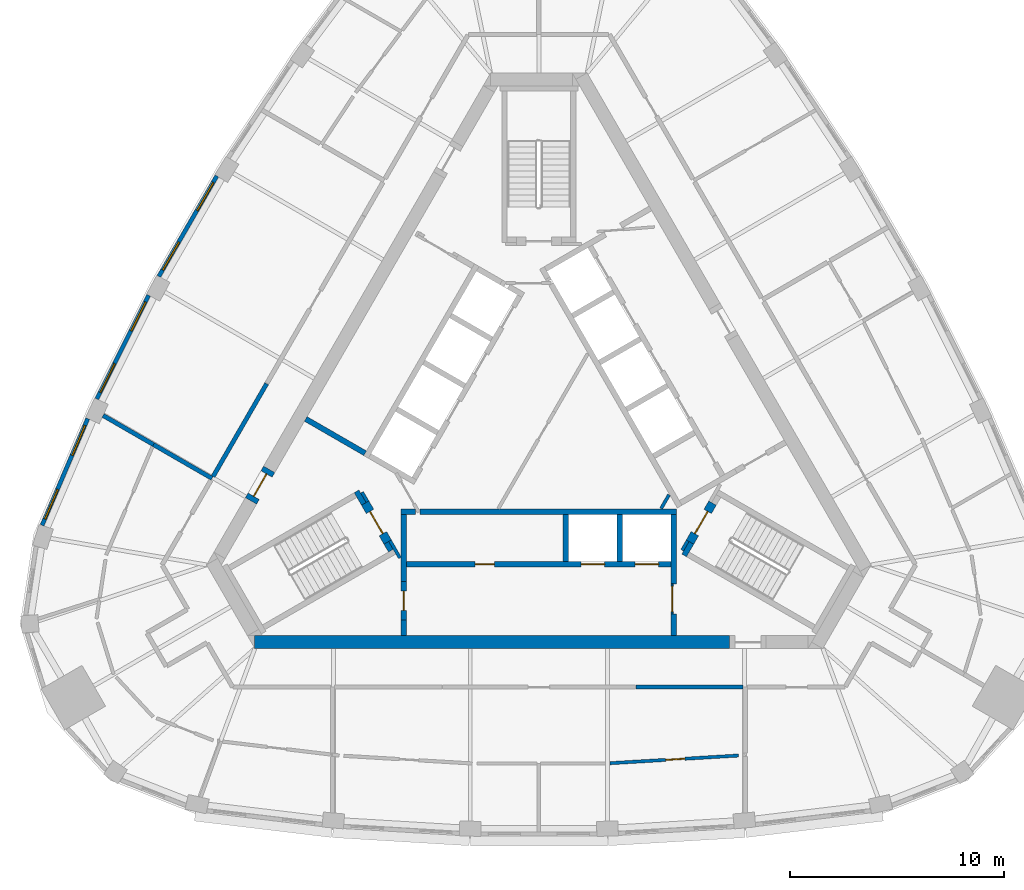
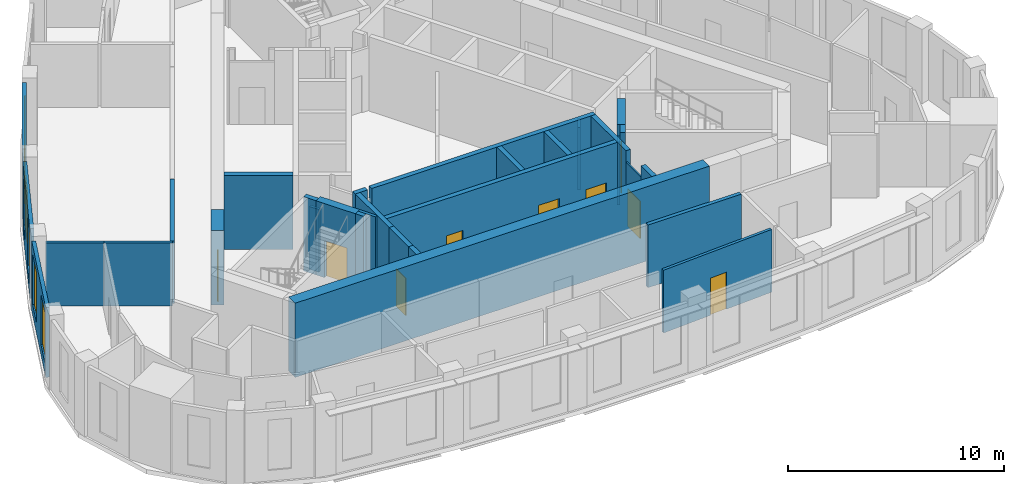
# One storey, part 4 of 10: 31 walls, 9 doors, 6 windows, 15 openings.
"""IFC4 building model written with IfcOpenShell, lengths in metres."""

from ifc_helpers import new_model, si_unit, direction, frame, frame_2d, origin, place, context, subcontext, project, spatial, rectangle, extrude, material, layer, layer_set, type_object, element, fill, save


model = new_model("IFC4")

# Units and contexts
model_context = context("Model", 3, precision=1e-05, world=origin(), true_north=direction((0.0, 1.0)))
body_context = subcontext(model_context, "Body", "Model", "MODEL_VIEW")
ifc_project = project(units=[si_unit("LENGTHUNIT", "METRE"), si_unit("AREAUNIT", "SQUARE_METRE"), si_unit("VOLUMEUNIT", "CUBIC_METRE"), si_unit("PLANEANGLEUNIT", "RADIAN"), si_unit("MASSUNIT", "GRAM", prefix="KILO")], contexts=[model_context])

# Site, building, storey
site_placement = place(None, origin())
site = spatial("IfcSite", under=ifc_project, at=site_placement, CompositionType="ELEMENT")
building_placement = place(site_placement, origin())
building = spatial("IfcBuilding", under=site, at=building_placement, Name="Mestral Congress Tower", CompositionType="ELEMENT")
storey_placement = place(building_placement, frame((0.0, 0.0, 309.0)))
storey = spatial("IfcBuildingStorey", under=building, at=storey_placement, Name="L72", CompositionType="ELEMENT", Elevation=309.0)

# Walls
ifc_material_1 = material(Name="Fire-rated board partition")
ifc_layer_1 = layer(ifc_material_1, 0.14990234375)
ifc_layer_set_1 = layer_set([ifc_layer_1], Name="Fire-rated board partition")
wall_type_1 = type_object("IfcWallType", Name="Core partition 150", PredefinedType="PARTITIONING", material=ifc_layer_set_1)
for number, where, z_axis, x_axis, name in (
    (1, (-8.251953125, -2.958251953125, 0.0), (0.0, 0.0, 1.0), (0.500174715838, -0.865924508047, 0.0), "L72 core wall"),
    (2, (6.94482421875, -5.22216796875, 0.0), (0.0, 0.0, 1.0), (-0.499818422106, -0.866130212453, 0.0), "L72 core wall"),
):
    element("IfcWall", number, at=place(storey_placement, frame(where, z_axis=z_axis, x_axis=x_axis)), inside=storey, type_object=wall_type_1, Name=name, PredefinedType="PARTITIONING", context=body_context, shape_type="SweptSolid", body=[
        extrude(rectangle(XDim=0.513916015625, YDim=0.14990234375, at=frame_2d((0.2568359375, 0.0))), origin(), (0.0, 0.0, 1.0), 3.550048828125),
    ])
wall_1_placement = place(storey_placement, frame((5.704833984375, -3.718017578125, 0.0), z_axis=(0.0, 0.0, 1.0), x_axis=(0.499962090823, 0.866047289552, 0.0)))
element("IfcWall", 3, at=wall_1_placement, inside=storey, type_object=wall_type_1, Name="L72 core wall", PredefinedType="PARTITIONING", context=body_context, shape_type="SweptSolid", body=[
    extrude(rectangle(XDim=0.73486328125, YDim=0.14990234375, at=frame_2d((0.367431640625, 0.0))), origin(), (0.0, 0.0, 1.0), 3.550048828125),
])

# Wall, opening, door
ifc_layer_2 = layer(ifc_material_1, 0.090087890625)
ifc_layer_set_2 = layer_set([ifc_layer_2], Name="Fire-rated board partition")
wall_type_2 = type_object("IfcWallType", Name="Core partition 150 door-wall 90", PredefinedType="PARTITIONING", material=ifc_layer_set_2)
wall_2_placement = place(storey_placement, frame((6.219970703125, -7.23681640625, 0.0), z_axis=(0.0, 0.0, 1.0), x_axis=(0.0, -1.0, 0.0)))
wall_2 = element("IfcWall", 4, at=wall_2_placement, inside=storey, type_object=wall_type_2, Name="L72 door wall", PredefinedType="PARTITIONING", context=body_context, shape_type="SweptSolid", body=[
    extrude(rectangle(XDim=1.400146484375, YDim=0.090087890625, at=frame_2d((0.7001953125, 0.0))), origin(), (0.0, 0.0, 1.0), 3.550048828125),
])
opening_1_placement = place(wall_2_placement, frame((0.10009765625, 0.0, 0.0)))
opening_1 = element("IfcOpeningElement", 5, at=opening_1_placement, cuts=wall_2, Name="Opening LB0-WL1", PredefinedType="OPENING", context=body_context, shape_type="SweptSolid", body=[
    extrude(rectangle(XDim=1.199951171875, YDim=2.10009765625, at=frame_2d((0.60009765625, 1.050048828125))), frame((0.0, 0.054931640625, 0.0), z_axis=(0.0, -1.0, 0.0), x_axis=(1.0, 0.0, 0.0)), (0.0, 0.0, 1.0), 0.110107421875),
])
ifc_material_2 = material(Name="Fire-rated steel door set", Category="steel")
door_type_1 = type_object("IfcDoorType", Name="Core door LB 1200x2100", OperationType="SINGLE_SWING_LEFT", PredefinedType="DOOR", material=ifc_material_2)
door_1_placement = place(opening_1_placement, origin())
door_1 = element("IfcDoor", 6, at=door_1_placement, inside=storey, type_object=door_type_1, Name="Door LB0-WL1", OperationType="SINGLE_SWING_LEFT", OverallHeight=2.10009765625, OverallWidth=1.199951171875, PredefinedType="DOOR", context=body_context, shape_type="SweptSolid", body=[
    extrude(rectangle(XDim=1.199951171875, YDim=2.10009765625, at=frame_2d((0.60009765625, 1.050048828125))), frame((0.0, 0.02490234375, 0.0), z_axis=(0.0, -1.0, 0.0), x_axis=(1.0, 0.0, 0.0)), (0.0, 0.0, 1.0), 0.050048828125),
])
fill(opening_1, door_1)

# Wall
ifc_material_3 = material(Name="Concrete C60/75", Category="concrete")
ifc_layer_3 = layer(ifc_material_3, 0.60009765625)
ifc_layer_set_3 = layer_set([ifc_layer_3], Name="Concrete C60/75")
wall_type_3 = type_object("IfcWallType", Name="Core wall RC 600", PredefinedType="SOLIDWALL", material=ifc_layer_set_3)
wall_3_placement = place(storey_placement, frame((8.904296875, -9.949951171875, 0.0), z_axis=(0.0, 0.0, 1.0), x_axis=(-1.0, 0.0, 0.0)))
element("IfcWall", 7, at=wall_3_placement, inside=storey, type_object=wall_type_3, Name="L72 core wall", PredefinedType="SOLIDWALL", context=body_context, shape_type="SweptSolid", body=[
    extrude(rectangle(XDim=22.160888671875, YDim=0.60009765625, at=frame_2d((11.08056640625, 0.0))), origin(), (0.0, 0.0, 1.0), 4.199951171875),
])

# Wall, opening, door
wall_4_placement = place(storey_placement, frame((-13.431640625, -3.3642578125, 0.0), z_axis=(0.0, 0.0, 1.0), x_axis=(0.500062241894, 0.865989465428, 0.0)))
wall_4 = element("IfcWall", 8, at=wall_4_placement, inside=storey, type_object=wall_type_3, Name="L72 door wall", PredefinedType="SOLIDWALL", context=body_context, shape_type="SweptSolid", body=[
    extrude(rectangle(XDim=1.699951171875, YDim=0.60009765625, at=frame_2d((0.85009765625, 0.0))), origin(), (0.0, 0.0, 1.0), 4.199951171875),
])
opening_2_placement = place(wall_4_placement, frame((0.25, 0.0, 0.0)))
opening_2 = element("IfcOpeningElement", 9, at=opening_2_placement, cuts=wall_4, Name="Opening XD3", PredefinedType="OPENING", context=body_context, shape_type="SweptSolid", body=[
    extrude(rectangle(XDim=1.199951171875, YDim=2.10009765625, at=frame_2d((0.60009765625, 1.050048828125))), frame((0.0, 0.31005859375, 0.0), z_axis=(0.0, -1.0, 0.0), x_axis=(1.0, 0.0, 0.0)), (0.0, 0.0, 1.0), 0.6201171875),
])
door_type_2 = type_object("IfcDoorType", Name="Core door XD 1200x2100", OperationType="SINGLE_SWING_LEFT", PredefinedType="DOOR", material=ifc_material_2)
door_2_placement = place(opening_2_placement, origin())
door_2 = element("IfcDoor", 10, at=door_2_placement, inside=storey, type_object=door_type_2, Name="Door XD3", OperationType="SINGLE_SWING_LEFT", OverallHeight=2.10009765625, OverallWidth=1.199951171875, PredefinedType="DOOR", context=body_context, shape_type="SweptSolid", body=[
    extrude(rectangle(XDim=1.199951171875, YDim=2.10009765625, at=frame_2d((0.60009765625, 1.050048828125))), frame((0.0, 0.02490234375, 0.0), z_axis=(0.0, -1.0, 0.0), x_axis=(1.0, 0.0, 0.0)), (0.0, 0.0, 1.0), 0.050048828125),
])
fill(opening_2, door_2)

# Wall, openings, windows
ifc_material_4 = material(Name="Precast concrete C40/50 with limestone facing", Category="masonry")
ifc_layer_4 = layer(ifc_material_4, 0.18994140625)
ifc_layer_set_4 = layer_set([ifc_layer_4], Name="Precast concrete C40/50 with limestone facing")
wall_type_4 = type_object("IfcWallType", Name="Facade stone wall 190", PredefinedType="SOLIDWALL", material=ifc_layer_set_4)
wall_5_placement = place(storey_placement, frame((-15.025146484375, 11.7958984375, 0.0), z_axis=(0.0, 0.0, 1.0), x_axis=(-0.500024767483, -0.866011103799, 0.0)))
wall_5 = element("IfcWall", 11, at=wall_5_placement, inside=storey, type_object=wall_type_4, Name="Facade wall F2-02", PredefinedType="SOLIDWALL", context=body_context, shape_type="SweptSolid", body=[
    extrude(rectangle(XDim=5.406005859375, YDim=0.18994140625, at=frame_2d((2.703125, 0.0))), origin(), (0.0, 0.0, 1.0), 3.949951171875),
])
opening_3_placement = place(wall_5_placement, frame((0.346435546875, 0.0, 0.60009765625)))
opening_3 = element("IfcOpeningElement", 12, at=opening_3_placement, cuts=wall_5, Name="Opening W6", PredefinedType="OPENING", context=body_context, shape_type="SweptSolid", body=[
    extrude(rectangle(XDim=1.5, YDim=2.85009765625, at=frame_2d((0.75, 1.425048828125))), frame((0.0, 0.10498046875, 0.0), z_axis=(0.0, -1.0, 0.0), x_axis=(1.0, 0.0, 0.0)), (0.0, 0.0, 1.0), 0.2099609375),
])
opening_4_placement = place(wall_5_placement, frame((3.559326171875, 0.0, 0.60009765625)))
opening_4 = element("IfcOpeningElement", 13, at=opening_4_placement, cuts=wall_5, Name="Opening W6", PredefinedType="OPENING", context=body_context, shape_type="SweptSolid", body=[
    extrude(rectangle(XDim=1.5, YDim=2.85009765625, at=frame_2d((0.75, 1.425048828125))), frame((0.0, 0.10498046875, 0.0), z_axis=(0.0, -1.0, 0.0), x_axis=(1.0, 0.0, 0.0)), (0.0, 0.0, 1.0), 0.2099609375),
])
ifc_material_5 = material(Name="Clear low-emissivity double glazing", Category="glass")
window_type = type_object("IfcWindowType", Name="Facade punched window 1500 x 2850 sill 600", PartitioningType="SINGLE_PANEL", PredefinedType="WINDOW", material=ifc_material_5)
window_1_placement = place(opening_3_placement, origin())
window_1 = element("IfcWindow", 14, at=window_1_placement, inside=storey, type_object=window_type, Name="Window F2-02a", OverallHeight=2.85009765625, OverallWidth=1.5, PartitioningType="SINGLE_PANEL", PredefinedType="WINDOW", context=body_context, shape_type="SweptSolid", body=[
    extrude(rectangle(XDim=1.5, YDim=2.85009765625, at=frame_2d((0.75, 1.425048828125))), frame((0.0, 0.044921875, 0.0), z_axis=(0.0, -1.0, 0.0), x_axis=(1.0, 0.0, 0.0)), (0.0, 0.0, 1.0), 0.06005859375),
])
fill(opening_3, window_1)
window_2_placement = place(opening_4_placement, origin())
window_2 = element("IfcWindow", 15, at=window_2_placement, inside=storey, type_object=window_type, Name="Window F2-02b", OverallHeight=2.85009765625, OverallWidth=1.5, PartitioningType="SINGLE_PANEL", PredefinedType="WINDOW", context=body_context, shape_type="SweptSolid", body=[
    extrude(rectangle(XDim=1.5, YDim=2.85009765625, at=frame_2d((0.75, 1.425048828125))), frame((0.0, 0.044921875, 0.0), z_axis=(0.0, -1.0, 0.0), x_axis=(1.0, 0.0, 0.0)), (0.0, 0.0, 1.0), 0.06005859375),
])
fill(opening_4, window_2)

wall_6_placement = place(storey_placement, frame((-18.205810546875, 6.226806640625, 0.0), z_axis=(0.0, 0.0, 1.0), x_axis=(-0.447484531401, -0.894291671747, 0.0)))
wall_6 = element("IfcWall", 16, at=wall_6_placement, inside=storey, type_object=wall_type_4, Name="Facade wall F2-03", PredefinedType="SOLIDWALL", context=body_context, shape_type="SweptSolid", body=[
    extrude(rectangle(XDim=5.40625, YDim=0.18994140625, at=frame_2d((2.703125, 0.0))), origin(), (0.0, 0.0, 1.0), 3.949951171875),
])
opening_5_placement = place(wall_6_placement, frame((0.346435546875, 0.0, 0.60009765625)))
opening_5 = element("IfcOpeningElement", 17, at=opening_5_placement, cuts=wall_6, Name="Opening W6", PredefinedType="OPENING", context=body_context, shape_type="SweptSolid", body=[
    extrude(rectangle(XDim=1.5, YDim=2.85009765625, at=frame_2d((0.75, 1.425048828125))), frame((0.0, 0.10498046875, 0.0), z_axis=(0.0, -1.0, 0.0), x_axis=(1.0, 0.0, 0.0)), (0.0, 0.0, 1.0), 0.2099609375),
])
opening_6_placement = place(wall_6_placement, frame((3.559326171875, 0.0, 0.60009765625)))
opening_6 = element("IfcOpeningElement", 18, at=opening_6_placement, cuts=wall_6, Name="Opening W6", PredefinedType="OPENING", context=body_context, shape_type="SweptSolid", body=[
    extrude(rectangle(XDim=1.5, YDim=2.85009765625, at=frame_2d((0.75, 1.425048828125))), frame((0.0, 0.10498046875, 0.0), z_axis=(0.0, -1.0, 0.0), x_axis=(1.0, 0.0, 0.0)), (0.0, 0.0, 1.0), 0.2099609375),
])
window_3_placement = place(opening_5_placement, origin())
window_3 = element("IfcWindow", 19, at=window_3_placement, inside=storey, type_object=window_type, Name="Window F2-03a", OverallHeight=2.85009765625, OverallWidth=1.5, PartitioningType="SINGLE_PANEL", PredefinedType="WINDOW", context=body_context, shape_type="SweptSolid", body=[
    extrude(rectangle(XDim=1.5, YDim=2.85009765625, at=frame_2d((0.75, 1.425048828125))), frame((0.0, 0.044921875, 0.0), z_axis=(0.0, -1.0, 0.0), x_axis=(1.0, 0.0, 0.0)), (0.0, 0.0, 1.0), 0.06005859375),
])
fill(opening_5, window_3)
window_4_placement = place(opening_6_placement, origin())
window_4 = element("IfcWindow", 20, at=window_4_placement, inside=storey, type_object=window_type, Name="Window F2-03b", OverallHeight=2.85009765625, OverallWidth=1.5, PartitioningType="SINGLE_PANEL", PredefinedType="WINDOW", context=body_context, shape_type="SweptSolid", body=[
    extrude(rectangle(XDim=1.5, YDim=2.85009765625, at=frame_2d((0.75, 1.425048828125))), frame((0.0, 0.044921875, 0.0), z_axis=(0.0, -1.0, 0.0), x_axis=(1.0, 0.0, 0.0)), (0.0, 0.0, 1.0), 0.06005859375),
])
fill(opening_6, window_4)

wall_7_placement = place(storey_placement, frame((-21.048828125, 0.477783203125, 0.0), z_axis=(0.0, 0.0, 1.0), x_axis=(-0.393347848476, -0.919389726992, 0.0)))
wall_7 = element("IfcWall", 21, at=wall_7_placement, inside=storey, type_object=wall_type_4, Name="Facade wall F2-04", PredefinedType="SOLIDWALL", context=body_context, shape_type="SweptSolid", body=[
    extrude(rectangle(XDim=5.414794921875, YDim=0.18994140625, at=frame_2d((2.70751953125, 0.0))), origin(), (0.0, 0.0, 1.0), 3.949951171875),
])
opening_7_placement = place(wall_7_placement, frame((0.357421875, 0.0, 0.60009765625)))
opening_7 = element("IfcOpeningElement", 22, at=opening_7_placement, cuts=wall_7, Name="Opening W6", PredefinedType="OPENING", context=body_context, shape_type="SweptSolid", body=[
    extrude(rectangle(XDim=1.5, YDim=2.85009765625, at=frame_2d((0.75, 1.425048828125))), frame((0.0, 0.10498046875, 0.0), z_axis=(0.0, -1.0, 0.0), x_axis=(1.0, 0.0, 0.0)), (0.0, 0.0, 1.0), 0.2099609375),
])
opening_8_placement = place(wall_7_placement, frame((3.592529296875, 0.0, 0.60009765625)))
opening_8 = element("IfcOpeningElement", 23, at=opening_8_placement, cuts=wall_7, Name="Opening W6", PredefinedType="OPENING", context=body_context, shape_type="SweptSolid", body=[
    extrude(rectangle(XDim=1.5, YDim=2.85009765625, at=frame_2d((0.75, 1.425048828125))), frame((0.0, 0.10498046875, 0.0), z_axis=(0.0, -1.0, 0.0), x_axis=(1.0, 0.0, 0.0)), (0.0, 0.0, 1.0), 0.2099609375),
])
window_5_placement = place(opening_7_placement, origin())
window_5 = element("IfcWindow", 24, at=window_5_placement, inside=storey, type_object=window_type, Name="Window F2-04a", OverallHeight=2.85009765625, OverallWidth=1.5, PartitioningType="SINGLE_PANEL", PredefinedType="WINDOW", context=body_context, shape_type="SweptSolid", body=[
    extrude(rectangle(XDim=1.5, YDim=2.85009765625, at=frame_2d((0.75, 1.425048828125))), frame((0.0, 0.044921875, 0.0), z_axis=(0.0, -1.0, 0.0), x_axis=(1.0, 0.0, 0.0)), (0.0, 0.0, 1.0), 0.06005859375),
])
fill(opening_7, window_5)
window_6_placement = place(opening_8_placement, origin())
window_6 = element("IfcWindow", 25, at=window_6_placement, inside=storey, type_object=window_type, Name="Window F2-04b", OverallHeight=2.85009765625, OverallWidth=1.5, PartitioningType="SINGLE_PANEL", PredefinedType="WINDOW", context=body_context, shape_type="SweptSolid", body=[
    extrude(rectangle(XDim=1.5, YDim=2.85009765625, at=frame_2d((0.75, 1.425048828125))), frame((0.0, 0.044921875, 0.0), z_axis=(0.0, -1.0, 0.0), x_axis=(1.0, 0.0, 0.0)), (0.0, 0.0, 1.0), 0.06005859375),
])
fill(opening_8, window_6)

# Wall, opening, door
ifc_material_6 = material(Name="Plasterboard partition on steel studs", Category="steel")
ifc_layer_5 = layer(ifc_material_6, 0.14990234375)
ifc_layer_set_5 = layer_set([ifc_layer_5], Name="Plasterboard partition on steel studs")
wall_type_5 = type_object("IfcWallType", Name="Office partition 150", PredefinedType="PARTITIONING", material=ifc_layer_set_5)
wall_8_placement = place(storey_placement, frame((9.3154296875, -15.244384765625, 0.0), z_axis=(0.0, 0.0, 1.0), x_axis=(-0.998218822372, -0.059658885864, 0.0)))
wall_8 = element("IfcWall", 26, at=wall_8_placement, inside=storey, type_object=wall_type_5, Name="Partition", PredefinedType="PARTITIONING", context=body_context, shape_type="SweptSolid", body=[
    extrude(rectangle(XDim=6.00341796875, YDim=0.14990234375, at=frame_2d((3.001708984375, 0.0))), origin(), (0.0, 0.0, 1.0), 3.550048828125),
])
opening_9_placement = place(wall_8_placement, frame((2.50341796875, 0.0, 0.0)))
opening_9 = element("IfcOpeningElement", 27, at=opening_9_placement, cuts=wall_8, Name="Opening O14-002", PredefinedType="OPENING", context=body_context, shape_type="SweptSolid", body=[
    extrude(rectangle(XDim=0.89990234375, YDim=2.10009765625, at=frame_2d((0.449951171875, 1.050048828125))), frame((0.0, 0.0849609375, 0.0), z_axis=(0.0, -1.0, 0.0), x_axis=(1.0, 0.0, 0.0)), (0.0, 0.0, 1.0), 0.169921875),
])
ifc_material_7 = material(Name="Timber door set", Category="wood")
door_type_3 = type_object("IfcDoorType", Name="Office door 900x2100", OperationType="SINGLE_SWING_LEFT", PredefinedType="DOOR", material=ifc_material_7)
door_3_placement = place(opening_9_placement, origin())
door_3 = element("IfcDoor", 28, at=door_3_placement, inside=storey, type_object=door_type_3, Name="Door O14-002", OperationType="SINGLE_SWING_LEFT", OverallHeight=2.10009765625, OverallWidth=0.89990234375, PredefinedType="DOOR", context=body_context, shape_type="SweptSolid", body=[
    extrude(rectangle(XDim=0.89990234375, YDim=2.10009765625, at=frame_2d((0.449951171875, 1.050048828125))), frame((0.0, 0.02490234375, 0.0), z_axis=(0.0, -1.0, 0.0), x_axis=(1.0, 0.0, 0.0)), (0.0, 0.0, 1.0), 0.050048828125),
])
fill(opening_9, door_3)

# Walls
ifc_material_8 = material(Name="Dense masonry wall, plastered", Category="masonry")
ifc_layer_6 = layer(ifc_material_8, 0.199951171875)
ifc_layer_set_6 = layer_set([ifc_layer_6], Name="Dense masonry wall, plastered")
wall_type_6 = type_object("IfcWallType", Name="Office tenancy wall 200", PredefinedType="PARTITIONING", material=ifc_layer_set_6)
wall_9_placement = place(storey_placement, frame((4.530029296875, -12.050048828125, 0.0), z_axis=(0.0, 0.0, 1.0), x_axis=(1.0, 0.0, 0.0)))
element("IfcWall", 29, at=wall_9_placement, inside=storey, type_object=wall_type_6, Name="Tenancy wall", PredefinedType="PARTITIONING", context=body_context, shape_type="SweptSolid", body=[
    extrude(rectangle(XDim=4.997314453125, YDim=0.199951171875, at=frame_2d((2.49853515625, 0.0))), origin(), (0.0, 0.0, 1.0), 3.550048828125),
])
wall_10_placement = place(storey_placement, frame((-17.97998046875, -0.736083984375, 0.0), z_axis=(0.0, 0.0, 1.0), x_axis=(-0.866049350164, 0.49995852136, 0.0)))
element("IfcWall", 30, at=wall_10_placement, inside=storey, type_object=wall_type_6, Name="Tenancy wall", PredefinedType="PARTITIONING", context=body_context, shape_type="SweptSolid", body=[
    extrude(rectangle(XDim=2.715576171875, YDim=0.199951171875, at=frame_2d((1.35791015625, 0.0))), origin(), (0.0, 0.0, 1.0), 3.550048828125),
])
wall_11_placement = place(storey_placement, frame((-15.249267578125, -2.3125, 0.0), z_axis=(0.0, 0.0, 1.0), x_axis=(-0.866053113424, 0.499952002425, 0.0)))
element("IfcWall", 31, at=wall_11_placement, inside=storey, type_object=wall_type_6, Name="Tenancy wall", PredefinedType="PARTITIONING", context=body_context, shape_type="SweptSolid", body=[
    extrude(rectangle(XDim=3.160888671875, YDim=0.199951171875, at=frame_2d((1.58056640625, 0.0))), origin(), (0.0, 0.0, 1.0), 3.550048828125),
])
wall_12_placement = place(storey_placement, frame((-12.70068359375, 2.101806640625, 0.0), z_axis=(0.0, 0.0, 1.0), x_axis=(-0.499974782844, -0.866039962427, 0.0)))
element("IfcWall", 32, at=wall_12_placement, inside=storey, type_object=wall_type_6, Name="Tenancy wall", PredefinedType="PARTITIONING", context=body_context, shape_type="SweptSolid", body=[
    extrude(rectangle(XDim=4.997314453125, YDim=0.199951171875, at=frame_2d((2.49853515625, 0.0))), origin(), (0.0, 0.0, 1.0), 3.550048828125),
])
ifc_layer_7 = layer(ifc_material_3, 0.25)
ifc_layer_set_7 = layer_set([ifc_layer_7], Name="Concrete C60/75")
wall_type_7 = type_object("IfcWallType", Name="Shaft wall RC 250", PredefinedType="SOLIDWALL", material=ifc_layer_set_7)
wall_13_placement = place(storey_placement, frame((-5.544921875, -3.875, 0.0), z_axis=(0.0, 0.0, 1.0), x_axis=(1.0, 0.0, 0.0)))
element("IfcWall", 33, at=wall_13_placement, inside=storey, type_object=wall_type_7, Name="L72 core wall", PredefinedType="SOLIDWALL", context=body_context, shape_type="SweptSolid", body=[
    extrude(rectangle(XDim=11.969970703125, YDim=0.25, at=frame_2d((5.98486328125, 0.0))), origin(), (0.0, 0.0, 1.0), 4.199951171875),
])
wall_14_placement = place(storey_placement, frame((-6.425048828125, -3.875, 0.0), z_axis=(0.0, 0.0, 1.0), x_axis=(1.0, 0.0, 0.0)))
element("IfcWall", 34, at=wall_14_placement, inside=storey, type_object=wall_type_7, Name="L72 core wall", PredefinedType="SOLIDWALL", context=body_context, shape_type="SweptSolid", body=[
    extrude(rectangle(XDim=0.657958984375, YDim=0.25, at=frame_2d((0.3291015625, 0.0))), origin(), (0.0, 0.0, 1.0), 4.199951171875),
])
wall_15_placement = place(storey_placement, frame((6.300048828125, -7.239990234375, 0.0), z_axis=(0.0, 0.0, 1.0), x_axis=(0.0, 1.0, 0.0)))
element("IfcWall", 35, at=wall_15_placement, inside=storey, type_object=wall_type_7, Name="L72 core wall", PredefinedType="SOLIDWALL", context=body_context, shape_type="SweptSolid", body=[
    extrude(rectangle(XDim=3.239990234375, YDim=0.25, at=frame_2d((1.6201171875, 0.0))), origin(), (0.0, 0.0, 1.0), 4.199951171875),
])
wall_16_placement = place(storey_placement, frame((6.300048828125, -9.64990234375, 0.0), z_axis=(0.0, 0.0, 1.0), x_axis=(0.0, 1.0, 0.0)))
element("IfcWall", 36, at=wall_16_placement, inside=storey, type_object=wall_type_7, Name="L72 core wall", PredefinedType="SOLIDWALL", context=body_context, shape_type="SweptSolid", body=[
    extrude(rectangle(XDim=1.0078125, YDim=0.25, at=frame_2d((0.50390625, 0.0))), origin(), (0.0, 0.0, 1.0), 4.199951171875),
])
for number, where, z_axis, x_axis, name in (
    (37, (3.780029296875, -4.0, 0.0), (0.0, 0.0, 1.0), (0.0, -1.0, 0.0), "L72 core wall"),
    (38, (1.260009765625, -4.0, 0.0), (0.0, 0.0, 1.0), (0.0, -1.0, 0.0), "L72 core wall"),
):
    element("IfcWall", number, at=place(storey_placement, frame(where, z_axis=z_axis, x_axis=x_axis)), inside=storey, type_object=wall_type_7, Name=name, PredefinedType="SOLIDWALL", context=body_context, shape_type="SweptSolid", body=[
        extrude(rectangle(XDim=2.199951171875, YDim=0.25, at=frame_2d((1.10009765625, 0.0))), origin(), (0.0, 0.0, 1.0), 4.199951171875),
    ])
wall_17_placement = place(storey_placement, frame((-6.300048828125, -7.12451171875, 0.0), z_axis=(0.0, 0.0, 1.0), x_axis=(0.0, 1.0, 0.0)))
element("IfcWall", 39, at=wall_17_placement, inside=storey, type_object=wall_type_7, Name="L72 core wall", PredefinedType="SOLIDWALL", context=body_context, shape_type="SweptSolid", body=[
    extrude(rectangle(XDim=3.12451171875, YDim=0.25, at=frame_2d((1.562255859375, 0.0))), origin(), (0.0, 0.0, 1.0), 4.199951171875),
])
wall_18_placement = place(storey_placement, frame((-6.300048828125, -8.9248046875, 0.0), z_axis=(0.0, 0.0, 1.0), x_axis=(0.0, -1.0, 0.0)))
element("IfcWall", 40, at=wall_18_placement, inside=storey, type_object=wall_type_7, Name="L72 core wall", PredefinedType="SOLIDWALL", context=body_context, shape_type="SweptSolid", body=[
    extrude(rectangle(XDim=0.72509765625, YDim=0.25, at=frame_2d((0.362548828125, 0.0))), origin(), (0.0, 0.0, 1.0), 4.199951171875),
])
wall_19_placement = place(storey_placement, frame((-8.10595703125, -1.139892578125, 0.0), z_axis=(0.0, 0.0, 1.0), x_axis=(-0.866008981251, 0.500028443584, 0.0)))
element("IfcWall", 41, at=wall_19_placement, inside=storey, type_object=wall_type_7, Name="L72 core wall", PredefinedType="SOLIDWALL", context=body_context, shape_type="SweptSolid", body=[
    extrude(rectangle(XDim=3.199951171875, YDim=0.25, at=frame_2d((1.60009765625, 0.0))), origin(), (0.0, 0.0, 1.0), 4.199951171875),
])

# Wall, openings, doors
wall_20_placement = place(storey_placement, frame((-6.175048828125, -6.324951171875, 0.0), z_axis=(0.0, 0.0, 1.0), x_axis=(1.0, 0.0, 0.0)))
wall_20 = element("IfcWall", 42, at=wall_20_placement, inside=storey, type_object=wall_type_7, Name="L72 door wall", PredefinedType="SOLIDWALL", context=body_context, shape_type="SweptSolid", body=[
    extrude(rectangle(XDim=12.35009765625, YDim=0.25, at=frame_2d((6.175048828125, 0.0))), origin(), (0.0, 0.0, 1.0), 4.199951171875),
])
opening_10_placement = place(wall_20_placement, frame((3.205078125, 0.0, 0.0)))
opening_10 = element("IfcOpeningElement", 43, at=opening_10_placement, cuts=wall_20, Name="Opening SR-SOB1", PredefinedType="OPENING", context=body_context, shape_type="SweptSolid", body=[
    extrude(rectangle(XDim=0.89990234375, YDim=2.10009765625, at=frame_2d((0.449951171875, 1.050048828125))), frame((0.0, 0.135009765625, 0.0), z_axis=(0.0, -1.0, 0.0), x_axis=(1.0, 0.0, 0.0)), (0.0, 0.0, 1.0), 0.27001953125),
])
opening_11_placement = place(wall_20_placement, frame((8.14501953125, 0.0, 0.0)))
opening_11 = element("IfcOpeningElement", 44, at=opening_11_placement, cuts=wall_20, Name="Opening LD-SOB4", PredefinedType="OPENING", context=body_context, shape_type="SweptSolid", body=[
    extrude(rectangle(XDim=1.10009765625, YDim=2.10009765625, at=frame_2d((0.550048828125, 1.050048828125))), frame((0.0, 0.135009765625, 0.0), z_axis=(0.0, -1.0, 0.0), x_axis=(1.0, 0.0, 0.0)), (0.0, 0.0, 1.0), 0.27001953125),
])
opening_12_placement = place(wall_20_placement, frame((10.6650390625, 0.0, 0.0)))
opening_12 = element("IfcOpeningElement", 45, at=opening_12_placement, cuts=wall_20, Name="Opening LD-SOB5", PredefinedType="OPENING", context=body_context, shape_type="SweptSolid", body=[
    extrude(rectangle(XDim=1.10009765625, YDim=2.10009765625, at=frame_2d((0.550048828125, 1.050048828125))), frame((0.0, 0.135009765625, 0.0), z_axis=(0.0, -1.0, 0.0), x_axis=(1.0, 0.0, 0.0)), (0.0, 0.0, 1.0), 0.27001953125),
])
door_type_4 = type_object("IfcDoorType", Name="Core door LD 1100x2100", OperationType="DOUBLE_DOOR_SLIDING", PredefinedType="DOOR", material=ifc_material_2)
door_4_placement = place(opening_11_placement, origin())
door_4 = element("IfcDoor", 46, at=door_4_placement, inside=storey, type_object=door_type_4, Name="Door LD-SOB4", OperationType="DOUBLE_DOOR_SLIDING", OverallHeight=2.10009765625, OverallWidth=1.10009765625, PredefinedType="DOOR", context=body_context, shape_type="SweptSolid", body=[
    extrude(rectangle(XDim=1.10009765625, YDim=2.10009765625, at=frame_2d((0.550048828125, 1.050048828125))), frame((0.0, 0.02490234375, 0.0), z_axis=(0.0, -1.0, 0.0), x_axis=(1.0, 0.0, 0.0)), (0.0, 0.0, 1.0), 0.050048828125),
])
fill(opening_11, door_4)
door_5_placement = place(opening_12_placement, origin())
door_5 = element("IfcDoor", 47, at=door_5_placement, inside=storey, type_object=door_type_4, Name="Door LD-SOB5", OperationType="DOUBLE_DOOR_SLIDING", OverallHeight=2.10009765625, OverallWidth=1.10009765625, PredefinedType="DOOR", context=body_context, shape_type="SweptSolid", body=[
    extrude(rectangle(XDim=1.10009765625, YDim=2.10009765625, at=frame_2d((0.550048828125, 1.050048828125))), frame((0.0, 0.02490234375, 0.0), z_axis=(0.0, -1.0, 0.0), x_axis=(1.0, 0.0, 0.0)), (0.0, 0.0, 1.0), 0.050048828125),
])
fill(opening_12, door_5)
door_type_5 = type_object("IfcDoorType", Name="Core door SR 900x2100", OperationType="SINGLE_SWING_LEFT", PredefinedType="DOOR", material=ifc_material_2)
door_6_placement = place(opening_10_placement, origin())
door_6 = element("IfcDoor", 48, at=door_6_placement, inside=storey, type_object=door_type_5, Name="Door SR-SOB1", OperationType="SINGLE_SWING_LEFT", OverallHeight=2.10009765625, OverallWidth=0.89990234375, PredefinedType="DOOR", context=body_context, shape_type="SweptSolid", body=[
    extrude(rectangle(XDim=0.89990234375, YDim=2.10009765625, at=frame_2d((0.449951171875, 1.050048828125))), frame((0.0, 0.02490234375, 0.0), z_axis=(0.0, -1.0, 0.0), x_axis=(1.0, 0.0, 0.0)), (0.0, 0.0, 1.0), 0.050048828125),
])
fill(opening_10, door_6)

# Wall, opening, door
wall_21_placement = place(storey_placement, frame((-6.300048828125, -7.12451171875, 0.0), z_axis=(0.0, 0.0, 1.0), x_axis=(0.0, -1.0, 0.0)))
wall_21 = element("IfcWall", 49, at=wall_21_placement, inside=storey, type_object=wall_type_7, Name="L72 door wall", PredefinedType="SOLIDWALL", context=body_context, shape_type="SweptSolid", body=[
    extrude(rectangle(XDim=1.800048828125, YDim=0.25, at=frame_2d((0.89990234375, 0.0))), origin(), (0.0, 0.0, 1.0), 4.199951171875),
])
opening_13_placement = place(wall_21_placement, frame((0.449951171875, 0.0, 0.0)))
opening_13 = element("IfcOpeningElement", 50, at=opening_13_placement, cuts=wall_21, Name="Opening TD3", PredefinedType="OPENING", context=body_context, shape_type="SweptSolid", body=[
    extrude(rectangle(XDim=0.89990234375, YDim=2.10009765625, at=frame_2d((0.449951171875, 1.050048828125))), frame((0.0, 0.135009765625, 0.0), z_axis=(0.0, -1.0, 0.0), x_axis=(1.0, 0.0, 0.0)), (0.0, 0.0, 1.0), 0.27001953125),
])
door_7_placement = place(opening_13_placement, origin())
door_7 = element("IfcDoor", 51, at=door_7_placement, inside=storey, type_object=door_type_5, Name="Door TD3", OperationType="SINGLE_SWING_LEFT", OverallHeight=2.10009765625, OverallWidth=0.89990234375, PredefinedType="DOOR", context=body_context, shape_type="SweptSolid", body=[
    extrude(rectangle(XDim=0.89990234375, YDim=2.10009765625, at=frame_2d((0.449951171875, 1.050048828125))), frame((0.0, 0.02490234375, 0.0), z_axis=(0.0, -1.0, 0.0), x_axis=(1.0, 0.0, 0.0)), (0.0, 0.0, 1.0), 0.050048828125),
])
fill(opening_13, door_7)

# Walls
ifc_layer_8 = layer(ifc_material_3, 0.14990234375)
ifc_layer_set_8 = layer_set([ifc_layer_8], Name="Concrete C60/75")
wall_type_8 = type_object("IfcWallType", Name="Shaft wall RC 250 door-wall 150", PredefinedType="SOLIDWALL", material=ifc_layer_set_8)
wall_22_placement = place(storey_placement, frame((-6.48046875, -6.026611328125, 0.0), z_axis=(0.0, 0.0, 1.0), x_axis=(-0.499927229454, 0.866067413802, 0.0)))
element("IfcWall", 52, at=wall_22_placement, inside=storey, type_object=wall_type_8, Name="L72 core wall", PredefinedType="PARTITIONING", context=body_context, shape_type="SweptSolid", body=[
    extrude(rectangle(XDim=0.928955078125, YDim=0.14990234375, at=frame_2d((0.46435546875, 0.0))), origin(), (0.0, 0.0, 1.0), 4.199951171875),
])
ifc_layer_9 = layer(ifc_material_3, 0.25)
ifc_layer_set_9 = layer_set([ifc_layer_9], Name="Concrete C60/75")
wall_type_9 = type_object("IfcWallType", Name="Stair wall RC 250", PredefinedType="SOLIDWALL", material=ifc_layer_set_9)
wall_23_placement = place(storey_placement, frame((6.780029296875, -5.906494140625, 0.0), z_axis=(0.0, 0.0, 1.0), x_axis=(0.500223362819, 0.865896406789, 0.0)))
element("IfcWall", 53, at=wall_23_placement, inside=storey, type_object=wall_type_9, Name="L72 core wall", PredefinedType="SOLIDWALL", context=body_context, shape_type="SweptSolid", body=[
    extrude(rectangle(XDim=0.675048828125, YDim=0.25, at=frame_2d((0.33740234375, 0.0))), origin(), (0.0, 0.0, 1.0), 4.199951171875),
])
wall_24_placement = place(storey_placement, frame((-8.167724609375, -3.503173828125, 0.0), z_axis=(0.0, 0.0, 1.0), x_axis=(-0.499952099219, 0.866053057547, 0.0)))
element("IfcWall", 54, at=wall_24_placement, inside=storey, type_object=wall_type_9, Name="L72 core wall", PredefinedType="SOLIDWALL", context=body_context, shape_type="SweptSolid", body=[
    extrude(rectangle(XDim=0.6748046875, YDim=0.25, at=frame_2d((0.33740234375, 0.0))), origin(), (0.0, 0.0, 1.0), 4.199951171875),
])
wall_25_placement = place(storey_placement, frame((-6.905029296875, -5.68994140625, 0.0), z_axis=(0.0, 0.0, 1.0), x_axis=(-0.500402024738, 0.865793170242, 0.0)))
element("IfcWall", 55, at=wall_25_placement, inside=storey, type_object=wall_type_9, Name="L72 core wall", PredefinedType="SOLIDWALL", context=body_context, shape_type="SweptSolid", body=[
    extrude(rectangle(XDim=0.425048828125, YDim=0.25, at=frame_2d((0.21240234375, 0.0))), origin(), (0.0, 0.0, 1.0), 4.199951171875),
])

# Wall, opening, door
ifc_layer_10 = layer(ifc_material_3, 0.39990234375)
ifc_layer_set_10 = layer_set([ifc_layer_10], Name="Concrete C60/75")
wall_type_10 = type_object("IfcWallType", Name="Stair wall RC 250 door-wall 400", PredefinedType="SOLIDWALL", material=ifc_layer_set_10)
wall_26_placement = place(storey_placement, frame((7.052734375, -5.2841796875, 0.0), z_axis=(0.0, 0.0, 1.0), x_axis=(0.500078061341, 0.865980330357, 0.0)))
wall_26 = element("IfcWall", 56, at=wall_26_placement, inside=storey, type_object=wall_type_10, Name="L72 door wall", PredefinedType="SOLIDWALL", context=body_context, shape_type="SweptSolid", body=[
    extrude(rectangle(XDim=2.099853515625, YDim=0.39990234375, at=frame_2d((1.0498046875, 0.0))), origin(), (0.0, 0.0, 1.0), 4.199951171875),
])
opening_14_placement = place(wall_26_placement, frame((0.449951171875, 0.0, 0.0)))
opening_14 = element("IfcOpeningElement", 57, at=opening_14_placement, cuts=wall_26, Name="Opening ST-D1", PredefinedType="OPENING", context=body_context, shape_type="SweptSolid", body=[
    extrude(rectangle(XDim=1.199951171875, YDim=2.10009765625, at=frame_2d((0.60009765625, 1.050048828125))), frame((0.0, 0.2099609375, 0.0), z_axis=(0.0, -1.0, 0.0), x_axis=(1.0, 0.0, 0.0)), (0.0, 0.0, 1.0), 0.419921875),
])
door_type_6 = type_object("IfcDoorType", Name="Core door ST 1200x2100", OperationType="SINGLE_SWING_LEFT", PredefinedType="DOOR", material=ifc_material_2)
door_8_placement = place(opening_14_placement, origin())
door_8 = element("IfcDoor", 58, at=door_8_placement, inside=storey, type_object=door_type_6, Name="Door ST-D1", OperationType="SINGLE_SWING_LEFT", OverallHeight=2.10009765625, OverallWidth=1.199951171875, PredefinedType="DOOR", context=body_context, shape_type="SweptSolid", body=[
    extrude(rectangle(XDim=1.199951171875, YDim=2.10009765625, at=frame_2d((0.60009765625, 1.050048828125))), frame((0.0, 0.02490234375, 0.0), z_axis=(0.0, -1.0, 0.0), x_axis=(1.0, 0.0, 0.0)), (0.0, 0.0, 1.0), 0.050048828125),
])
fill(opening_14, door_8)

wall_27_placement = place(storey_placement, frame((-8.102783203125, -3.4658203125, 0.0), z_axis=(0.0, 0.0, 1.0), x_axis=(0.500078061341, -0.865980330357, 0.0)))
wall_27 = element("IfcWall", 59, at=wall_27_placement, inside=storey, type_object=wall_type_10, Name="L72 door wall", PredefinedType="SOLIDWALL", context=body_context, shape_type="SweptSolid", body=[
    extrude(rectangle(XDim=2.099853515625, YDim=0.39990234375, at=frame_2d((1.0498046875, 0.0))), origin(), (0.0, 0.0, 1.0), 4.199951171875),
])
opening_15_placement = place(wall_27_placement, frame((0.449951171875, 0.0, 0.0)))
opening_15 = element("IfcOpeningElement", 60, at=opening_15_placement, cuts=wall_27, Name="Opening ST-D3", PredefinedType="OPENING", context=body_context, shape_type="SweptSolid", body=[
    extrude(rectangle(XDim=1.199951171875, YDim=2.10009765625, at=frame_2d((0.60009765625, 1.050048828125))), frame((0.0, 0.2099609375, 0.0), z_axis=(0.0, -1.0, 0.0), x_axis=(1.0, 0.0, 0.0)), (0.0, 0.0, 1.0), 0.419921875),
])
door_9_placement = place(opening_15_placement, origin())
door_9 = element("IfcDoor", 61, at=door_9_placement, inside=storey, type_object=door_type_6, Name="Door ST-D3", OperationType="SINGLE_SWING_LEFT", OverallHeight=2.10009765625, OverallWidth=1.199951171875, PredefinedType="DOOR", context=body_context, shape_type="SweptSolid", body=[
    extrude(rectangle(XDim=1.199951171875, YDim=2.10009765625, at=frame_2d((0.60009765625, 1.050048828125))), frame((0.0, 0.02490234375, 0.0), z_axis=(0.0, -1.0, 0.0), x_axis=(1.0, 0.0, 0.0)), (0.0, 0.0, 1.0), 0.050048828125),
])
fill(opening_15, door_9)

save(model, "model.ifc")
